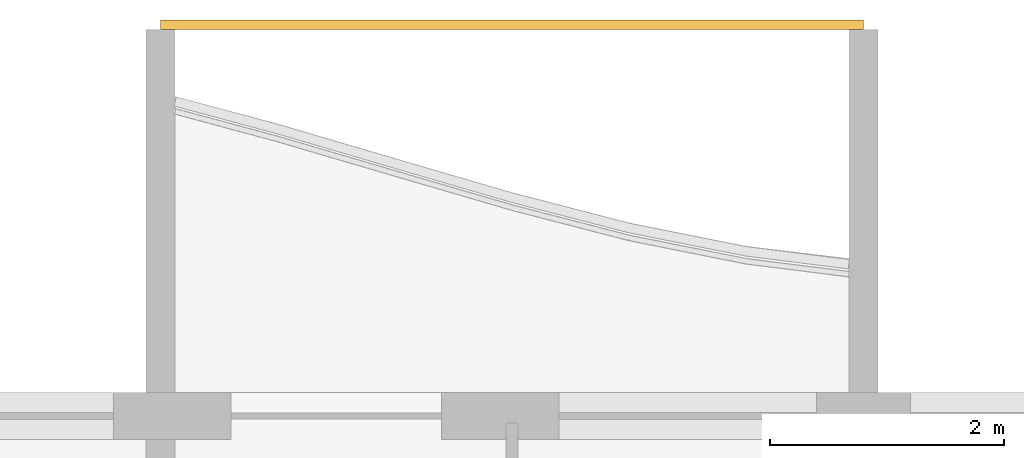
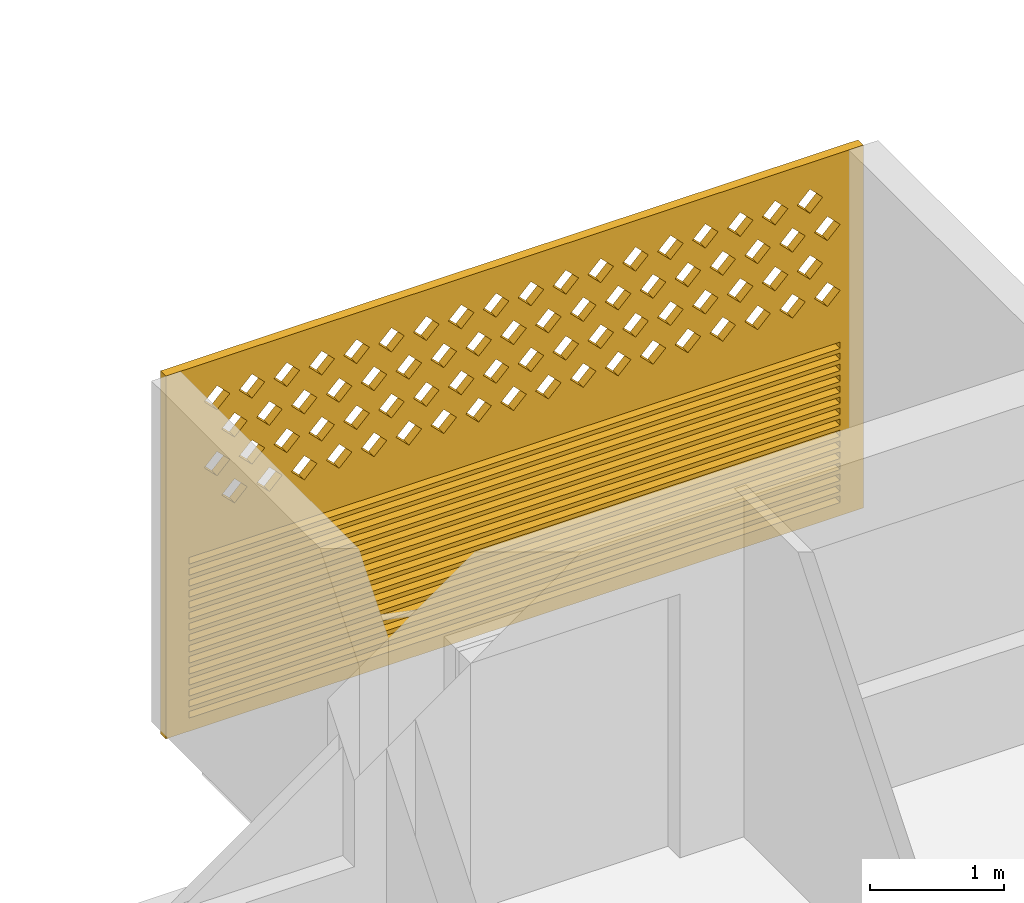
# One storey, part 18 of 26: 1 covering.
"""IFC4 building model written with IfcOpenShell, lengths in metres."""

from ifc_helpers import new_model, si_unit, direction, frame, origin, place, context, subcontext, project, spatial, polyline, outline, extrude, source, transform, mapped, material, material_profile, profile_set, type_object, element, save


model = new_model("IFC4")

# Units and contexts
model_context = context("Model", 3, precision=1e-05, world=origin(), true_north=direction((0.0, 1.0)))
body_context = subcontext(model_context, "Body", "Model", "MODEL_VIEW")
ifc_project = project(units=[si_unit("LENGTHUNIT", "METRE"), si_unit("AREAUNIT", "SQUARE_METRE"), si_unit("VOLUMEUNIT", "CUBIC_METRE"), si_unit("PLANEANGLEUNIT", "RADIAN"), si_unit("MASSUNIT", "GRAM", prefix="KILO")], contexts=[model_context])

# Site, building, storey
site_placement = place(None, origin())
site = spatial("IfcSite", under=ifc_project, at=site_placement, CompositionType="ELEMENT")
building_placement = place(site_placement, origin())
building = spatial("IfcBuilding", under=site, at=building_placement, Name="Poui Terraces", CompositionType="ELEMENT")
storey_placement = place(building_placement, frame((0.0, 0.0, 247.800048828125)))
storey = spatial("IfcBuildingStorey", under=building, at=storey_placement, Name="L69", CompositionType="ELEMENT", Elevation=247.800048828125)

# Covering
ifc_material = material(Name="Terracotta screen", Category="masonry")
ifc_material_profile = material_profile(ifc_material, outline(polyline([(-3.0, -1.64990234375), (3.0, -1.64990234375), (3.0, 1.64990234375), (-3.0, 1.64990234375), (-3.0, -1.64990234375)]), holes=[polyline([(-2.800048828125, 0.39990234375), (-2.68994140625, 0.2900390625), (-2.580078125, 0.39990234375), (-2.68994140625, 0.510009765625), (-2.800048828125, 0.39990234375)]), polyline([(-2.5, 0.39990234375), (-2.389892578125, 0.2900390625), (-2.280029296875, 0.39990234375), (-2.389892578125, 0.510009765625), (-2.5, 0.39990234375)]), polyline([(-2.199951171875, 0.39990234375), (-2.090087890625, 0.2900390625), (-1.97998046875, 0.39990234375), (-2.090087890625, 0.510009765625), (-2.199951171875, 0.39990234375)]), polyline([(-1.89990234375, 0.39990234375), (-1.7900390625, 0.2900390625), (-1.679931640625, 0.39990234375), (-1.7900390625, 0.510009765625), (-1.89990234375, 0.39990234375)]), polyline([(-1.60009765625, 0.39990234375), (-1.489990234375, 0.2900390625), (-1.3798828125, 0.39990234375), (-1.489990234375, 0.510009765625), (-1.60009765625, 0.39990234375)]), polyline([(-1.300048828125, 0.39990234375), (-1.18994140625, 0.2900390625), (-1.080078125, 0.39990234375), (-1.18994140625, 0.510009765625), (-1.300048828125, 0.39990234375)]), polyline([(-1.0, 0.39990234375), (-0.889892578125, 0.2900390625), (-0.780029296875, 0.39990234375), (-0.889892578125, 0.510009765625), (-1.0, 0.39990234375)]), polyline([(-0.699951171875, 0.39990234375), (-0.590087890625, 0.2900390625), (-0.47998046875, 0.39990234375), (-0.590087890625, 0.510009765625), (-0.699951171875, 0.39990234375)]), polyline([(-0.39990234375, 0.39990234375), (-0.2900390625, 0.2900390625), (-0.179931640625, 0.39990234375), (-0.2900390625, 0.510009765625), (-0.39990234375, 0.39990234375)]), polyline([(-0.10009765625, 0.39990234375), (0.010009765625, 0.2900390625), (0.1201171875, 0.39990234375), (0.010009765625, 0.510009765625), (-0.10009765625, 0.39990234375)]), polyline([(0.199951171875, 0.39990234375), (0.31005859375, 0.2900390625), (0.419921875, 0.39990234375), (0.31005859375, 0.510009765625), (0.199951171875, 0.39990234375)]), polyline([(0.5, 0.39990234375), (0.610107421875, 0.2900390625), (0.719970703125, 0.39990234375), (0.610107421875, 0.510009765625), (0.5, 0.39990234375)]), polyline([(0.800048828125, 0.39990234375), (0.909912109375, 0.2900390625), (1.02001953125, 0.39990234375), (0.909912109375, 0.510009765625), (0.800048828125, 0.39990234375)]), polyline([(1.10009765625, 0.39990234375), (1.2099609375, 0.2900390625), (1.320068359375, 0.39990234375), (1.2099609375, 0.510009765625), (1.10009765625, 0.39990234375)]), polyline([(1.39990234375, 0.39990234375), (1.510009765625, 0.2900390625), (1.6201171875, 0.39990234375), (1.510009765625, 0.510009765625), (1.39990234375, 0.39990234375)]), polyline([(1.699951171875, 0.39990234375), (1.81005859375, 0.2900390625), (1.919921875, 0.39990234375), (1.81005859375, 0.510009765625), (1.699951171875, 0.39990234375)]), polyline([(2.0, 0.39990234375), (2.110107421875, 0.2900390625), (2.219970703125, 0.39990234375), (2.110107421875, 0.510009765625), (2.0, 0.39990234375)]), polyline([(2.300048828125, 0.39990234375), (2.409912109375, 0.2900390625), (2.52001953125, 0.39990234375), (2.409912109375, 0.510009765625), (2.300048828125, 0.39990234375)]), polyline([(-2.64990234375, 0.699951171875), (-2.5400390625, 0.590087890625), (-2.429931640625, 0.699951171875), (-2.5400390625, 0.81005859375), (-2.64990234375, 0.699951171875)]), polyline([(-2.35009765625, 0.699951171875), (-2.239990234375, 0.590087890625), (-2.1298828125, 0.699951171875), (-2.239990234375, 0.81005859375), (-2.35009765625, 0.699951171875)]), polyline([(-2.050048828125, 0.699951171875), (-1.93994140625, 0.590087890625), (-1.830078125, 0.699951171875), (-1.93994140625, 0.81005859375), (-2.050048828125, 0.699951171875)]), polyline([(-1.75, 0.699951171875), (-1.639892578125, 0.590087890625), (-1.530029296875, 0.699951171875), (-1.639892578125, 0.81005859375), (-1.75, 0.699951171875)]), polyline([(-1.449951171875, 0.699951171875), (-1.340087890625, 0.590087890625), (-1.22998046875, 0.699951171875), (-1.340087890625, 0.81005859375), (-1.449951171875, 0.699951171875)]), polyline([(-1.14990234375, 0.699951171875), (-1.0400390625, 0.590087890625), (-0.929931640625, 0.699951171875), (-1.0400390625, 0.81005859375), (-1.14990234375, 0.699951171875)]), polyline([(-0.85009765625, 0.699951171875), (-0.739990234375, 0.590087890625), (-0.6298828125, 0.699951171875), (-0.739990234375, 0.81005859375), (-0.85009765625, 0.699951171875)]), polyline([(-0.550048828125, 0.699951171875), (-0.43994140625, 0.590087890625), (-0.330078125, 0.699951171875), (-0.43994140625, 0.81005859375), (-0.550048828125, 0.699951171875)]), polyline([(-0.25, 0.699951171875), (-0.139892578125, 0.590087890625), (-0.030029296875, 0.699951171875), (-0.139892578125, 0.81005859375), (-0.25, 0.699951171875)]), polyline([(0.050048828125, 0.699951171875), (0.159912109375, 0.590087890625), (0.27001953125, 0.699951171875), (0.159912109375, 0.81005859375), (0.050048828125, 0.699951171875)]), polyline([(0.35009765625, 0.699951171875), (0.4599609375, 0.590087890625), (0.570068359375, 0.699951171875), (0.4599609375, 0.81005859375), (0.35009765625, 0.699951171875)]), polyline([(0.64990234375, 0.699951171875), (0.760009765625, 0.590087890625), (0.8701171875, 0.699951171875), (0.760009765625, 0.81005859375), (0.64990234375, 0.699951171875)]), polyline([(0.949951171875, 0.699951171875), (1.06005859375, 0.590087890625), (1.169921875, 0.699951171875), (1.06005859375, 0.81005859375), (0.949951171875, 0.699951171875)]), polyline([(1.25, 0.699951171875), (1.360107421875, 0.590087890625), (1.469970703125, 0.699951171875), (1.360107421875, 0.81005859375), (1.25, 0.699951171875)]), polyline([(1.550048828125, 0.699951171875), (1.659912109375, 0.590087890625), (1.77001953125, 0.699951171875), (1.659912109375, 0.81005859375), (1.550048828125, 0.699951171875)]), polyline([(1.85009765625, 0.699951171875), (1.9599609375, 0.590087890625), (2.070068359375, 0.699951171875), (1.9599609375, 0.81005859375), (1.85009765625, 0.699951171875)]), polyline([(2.14990234375, 0.699951171875), (2.260009765625, 0.590087890625), (2.3701171875, 0.699951171875), (2.260009765625, 0.81005859375), (2.14990234375, 0.699951171875)]), polyline([(2.449951171875, 0.699951171875), (2.56005859375, 0.590087890625), (2.669921875, 0.699951171875), (2.56005859375, 0.81005859375), (2.449951171875, 0.699951171875)]), polyline([(-2.800048828125, 1.0), (-2.68994140625, 0.889892578125), (-2.580078125, 1.0), (-2.68994140625, 1.110107421875), (-2.800048828125, 1.0)]), polyline([(-2.5, 1.0), (-2.389892578125, 0.889892578125), (-2.280029296875, 1.0), (-2.389892578125, 1.110107421875), (-2.5, 1.0)]), polyline([(-2.199951171875, 1.0), (-2.090087890625, 0.889892578125), (-1.97998046875, 1.0), (-2.090087890625, 1.110107421875), (-2.199951171875, 1.0)]), polyline([(-1.89990234375, 1.0), (-1.7900390625, 0.889892578125), (-1.679931640625, 1.0), (-1.7900390625, 1.110107421875), (-1.89990234375, 1.0)]), polyline([(-1.60009765625, 1.0), (-1.489990234375, 0.889892578125), (-1.3798828125, 1.0), (-1.489990234375, 1.110107421875), (-1.60009765625, 1.0)]), polyline([(-1.300048828125, 1.0), (-1.18994140625, 0.889892578125), (-1.080078125, 1.0), (-1.18994140625, 1.110107421875), (-1.300048828125, 1.0)]), polyline([(-1.0, 1.0), (-0.889892578125, 0.889892578125), (-0.780029296875, 1.0), (-0.889892578125, 1.110107421875), (-1.0, 1.0)]), polyline([(-0.699951171875, 1.0), (-0.590087890625, 0.889892578125), (-0.47998046875, 1.0), (-0.590087890625, 1.110107421875), (-0.699951171875, 1.0)]), polyline([(-0.39990234375, 1.0), (-0.2900390625, 0.889892578125), (-0.179931640625, 1.0), (-0.2900390625, 1.110107421875), (-0.39990234375, 1.0)]), polyline([(-0.10009765625, 1.0), (0.010009765625, 0.889892578125), (0.1201171875, 1.0), (0.010009765625, 1.110107421875), (-0.10009765625, 1.0)]), polyline([(0.199951171875, 1.0), (0.31005859375, 0.889892578125), (0.419921875, 1.0), (0.31005859375, 1.110107421875), (0.199951171875, 1.0)]), polyline([(0.5, 1.0), (0.610107421875, 0.889892578125), (0.719970703125, 1.0), (0.610107421875, 1.110107421875), (0.5, 1.0)]), polyline([(0.800048828125, 1.0), (0.909912109375, 0.889892578125), (1.02001953125, 1.0), (0.909912109375, 1.110107421875), (0.800048828125, 1.0)]), polyline([(1.10009765625, 1.0), (1.2099609375, 0.889892578125), (1.320068359375, 1.0), (1.2099609375, 1.110107421875), (1.10009765625, 1.0)]), polyline([(1.39990234375, 1.0), (1.510009765625, 0.889892578125), (1.6201171875, 1.0), (1.510009765625, 1.110107421875), (1.39990234375, 1.0)]), polyline([(1.699951171875, 1.0), (1.81005859375, 0.889892578125), (1.919921875, 1.0), (1.81005859375, 1.110107421875), (1.699951171875, 1.0)]), polyline([(2.0, 1.0), (2.110107421875, 0.889892578125), (2.219970703125, 1.0), (2.110107421875, 1.110107421875), (2.0, 1.0)]), polyline([(2.300048828125, 1.0), (2.409912109375, 0.889892578125), (2.52001953125, 1.0), (2.409912109375, 1.110107421875), (2.300048828125, 1.0)]), polyline([(-2.64990234375, 1.300048828125), (-2.5400390625, 1.18994140625), (-2.429931640625, 1.300048828125), (-2.5400390625, 1.409912109375), (-2.64990234375, 1.300048828125)]), polyline([(-2.35009765625, 1.300048828125), (-2.239990234375, 1.18994140625), (-2.1298828125, 1.300048828125), (-2.239990234375, 1.409912109375), (-2.35009765625, 1.300048828125)]), polyline([(-2.050048828125, 1.300048828125), (-1.93994140625, 1.18994140625), (-1.830078125, 1.300048828125), (-1.93994140625, 1.409912109375), (-2.050048828125, 1.300048828125)]), polyline([(-1.75, 1.300048828125), (-1.639892578125, 1.18994140625), (-1.530029296875, 1.300048828125), (-1.639892578125, 1.409912109375), (-1.75, 1.300048828125)]), polyline([(-1.449951171875, 1.300048828125), (-1.340087890625, 1.18994140625), (-1.22998046875, 1.300048828125), (-1.340087890625, 1.409912109375), (-1.449951171875, 1.300048828125)]), polyline([(-1.14990234375, 1.300048828125), (-1.0400390625, 1.18994140625), (-0.929931640625, 1.300048828125), (-1.0400390625, 1.409912109375), (-1.14990234375, 1.300048828125)]), polyline([(-0.85009765625, 1.300048828125), (-0.739990234375, 1.18994140625), (-0.6298828125, 1.300048828125), (-0.739990234375, 1.409912109375), (-0.85009765625, 1.300048828125)]), polyline([(-0.550048828125, 1.300048828125), (-0.43994140625, 1.18994140625), (-0.330078125, 1.300048828125), (-0.43994140625, 1.409912109375), (-0.550048828125, 1.300048828125)]), polyline([(-0.25, 1.300048828125), (-0.139892578125, 1.18994140625), (-0.030029296875, 1.300048828125), (-0.139892578125, 1.409912109375), (-0.25, 1.300048828125)]), polyline([(0.050048828125, 1.300048828125), (0.159912109375, 1.18994140625), (0.27001953125, 1.300048828125), (0.159912109375, 1.409912109375), (0.050048828125, 1.300048828125)]), polyline([(0.35009765625, 1.300048828125), (0.4599609375, 1.18994140625), (0.570068359375, 1.300048828125), (0.4599609375, 1.409912109375), (0.35009765625, 1.300048828125)]), polyline([(0.64990234375, 1.300048828125), (0.760009765625, 1.18994140625), (0.8701171875, 1.300048828125), (0.760009765625, 1.409912109375), (0.64990234375, 1.300048828125)]), polyline([(0.949951171875, 1.300048828125), (1.06005859375, 1.18994140625), (1.169921875, 1.300048828125), (1.06005859375, 1.409912109375), (0.949951171875, 1.300048828125)]), polyline([(1.25, 1.300048828125), (1.360107421875, 1.18994140625), (1.469970703125, 1.300048828125), (1.360107421875, 1.409912109375), (1.25, 1.300048828125)]), polyline([(1.550048828125, 1.300048828125), (1.659912109375, 1.18994140625), (1.77001953125, 1.300048828125), (1.659912109375, 1.409912109375), (1.550048828125, 1.300048828125)]), polyline([(1.85009765625, 1.300048828125), (1.9599609375, 1.18994140625), (2.070068359375, 1.300048828125), (1.9599609375, 1.409912109375), (1.85009765625, 1.300048828125)]), polyline([(2.14990234375, 1.300048828125), (2.260009765625, 1.18994140625), (2.3701171875, 1.300048828125), (2.260009765625, 1.409912109375), (2.14990234375, 1.300048828125)]), polyline([(2.449951171875, 1.300048828125), (2.56005859375, 1.18994140625), (2.669921875, 1.300048828125), (2.56005859375, 1.409912109375), (2.449951171875, 1.300048828125)]), polyline([(-2.800048828125, -1.530029296875), (2.800048828125, -1.530029296875), (2.800048828125, -1.469970703125), (-2.800048828125, -1.469970703125), (-2.800048828125, -1.530029296875)]), polyline([(-2.800048828125, -1.429931640625), (2.800048828125, -1.429931640625), (2.800048828125, -1.3701171875), (-2.800048828125, -1.3701171875), (-2.800048828125, -1.429931640625)]), polyline([(-2.800048828125, -1.330078125), (2.800048828125, -1.330078125), (2.800048828125, -1.27001953125), (-2.800048828125, -1.27001953125), (-2.800048828125, -1.330078125)]), polyline([(-2.800048828125, -1.22998046875), (2.800048828125, -1.22998046875), (2.800048828125, -1.169921875), (-2.800048828125, -1.169921875), (-2.800048828125, -1.22998046875)]), polyline([(-2.800048828125, -1.1298828125), (2.800048828125, -1.1298828125), (2.800048828125, -1.070068359375), (-2.800048828125, -1.070068359375), (-2.800048828125, -1.1298828125)]), polyline([(-2.800048828125, -1.030029296875), (2.800048828125, -1.030029296875), (2.800048828125, -0.969970703125), (-2.800048828125, -0.969970703125), (-2.800048828125, -1.030029296875)]), polyline([(-2.800048828125, -0.929931640625), (2.800048828125, -0.929931640625), (2.800048828125, -0.8701171875), (-2.800048828125, -0.8701171875), (-2.800048828125, -0.929931640625)]), polyline([(-2.800048828125, -0.830078125), (2.800048828125, -0.830078125), (2.800048828125, -0.77001953125), (-2.800048828125, -0.77001953125), (-2.800048828125, -0.830078125)]), polyline([(-2.800048828125, -0.72998046875), (2.800048828125, -0.72998046875), (2.800048828125, -0.669921875), (-2.800048828125, -0.669921875), (-2.800048828125, -0.72998046875)]), polyline([(-2.800048828125, -0.6298828125), (2.800048828125, -0.6298828125), (2.800048828125, -0.570068359375), (-2.800048828125, -0.570068359375), (-2.800048828125, -0.6298828125)]), polyline([(-2.800048828125, -0.530029296875), (2.800048828125, -0.530029296875), (2.800048828125, -0.469970703125), (-2.800048828125, -0.469970703125), (-2.800048828125, -0.530029296875)]), polyline([(-2.800048828125, -0.429931640625), (2.800048828125, -0.429931640625), (2.800048828125, -0.3701171875), (-2.800048828125, -0.3701171875), (-2.800048828125, -0.429931640625)]), polyline([(-2.800048828125, -0.330078125), (2.800048828125, -0.330078125), (2.800048828125, -0.27001953125), (-2.800048828125, -0.27001953125), (-2.800048828125, -0.330078125)]), polyline([(-2.800048828125, -0.22998046875), (2.800048828125, -0.22998046875), (2.800048828125, -0.169921875), (-2.800048828125, -0.169921875), (-2.800048828125, -0.22998046875)]), polyline([(-2.800048828125, -0.1298828125), (2.800048828125, -0.1298828125), (2.800048828125, -0.070068359375), (-2.800048828125, -0.070068359375), (-2.800048828125, -0.1298828125)])]), Name="TERRACOTTA SCREEN AND JALOUSIE LOUVRE 6000X3300")
ifc_profile_set = profile_set([ifc_material_profile], Name="Terracotta screen")
covering_type = type_object("IfcCoveringType", Name="TERRACOTTA SCREEN AND JALOUSIE LOUVRE 6000X3300", PredefinedType="CLADDING", material=ifc_profile_set)
shared_shape = source(origin(), body_context, "Body", "SweptSolid", [
    extrude(outline(polyline([(-3.0, -1.64990234375), (3.0, -1.64990234375), (3.0, 1.64990234375), (-3.0, 1.64990234375), (-3.0, -1.64990234375)]), holes=[polyline([(-2.800048828125, 0.39990234375), (-2.68994140625, 0.2900390625), (-2.580078125, 0.39990234375), (-2.68994140625, 0.510009765625), (-2.800048828125, 0.39990234375)]), polyline([(-2.5, 0.39990234375), (-2.389892578125, 0.2900390625), (-2.280029296875, 0.39990234375), (-2.389892578125, 0.510009765625), (-2.5, 0.39990234375)]), polyline([(-2.199951171875, 0.39990234375), (-2.090087890625, 0.2900390625), (-1.97998046875, 0.39990234375), (-2.090087890625, 0.510009765625), (-2.199951171875, 0.39990234375)]), polyline([(-1.89990234375, 0.39990234375), (-1.7900390625, 0.2900390625), (-1.679931640625, 0.39990234375), (-1.7900390625, 0.510009765625), (-1.89990234375, 0.39990234375)]), polyline([(-1.60009765625, 0.39990234375), (-1.489990234375, 0.2900390625), (-1.3798828125, 0.39990234375), (-1.489990234375, 0.510009765625), (-1.60009765625, 0.39990234375)]), polyline([(-1.300048828125, 0.39990234375), (-1.18994140625, 0.2900390625), (-1.080078125, 0.39990234375), (-1.18994140625, 0.510009765625), (-1.300048828125, 0.39990234375)]), polyline([(-1.0, 0.39990234375), (-0.889892578125, 0.2900390625), (-0.780029296875, 0.39990234375), (-0.889892578125, 0.510009765625), (-1.0, 0.39990234375)]), polyline([(-0.699951171875, 0.39990234375), (-0.590087890625, 0.2900390625), (-0.47998046875, 0.39990234375), (-0.590087890625, 0.510009765625), (-0.699951171875, 0.39990234375)]), polyline([(-0.39990234375, 0.39990234375), (-0.2900390625, 0.2900390625), (-0.179931640625, 0.39990234375), (-0.2900390625, 0.510009765625), (-0.39990234375, 0.39990234375)]), polyline([(-0.10009765625, 0.39990234375), (0.010009765625, 0.2900390625), (0.1201171875, 0.39990234375), (0.010009765625, 0.510009765625), (-0.10009765625, 0.39990234375)]), polyline([(0.199951171875, 0.39990234375), (0.31005859375, 0.2900390625), (0.419921875, 0.39990234375), (0.31005859375, 0.510009765625), (0.199951171875, 0.39990234375)]), polyline([(0.5, 0.39990234375), (0.610107421875, 0.2900390625), (0.719970703125, 0.39990234375), (0.610107421875, 0.510009765625), (0.5, 0.39990234375)]), polyline([(0.800048828125, 0.39990234375), (0.909912109375, 0.2900390625), (1.02001953125, 0.39990234375), (0.909912109375, 0.510009765625), (0.800048828125, 0.39990234375)]), polyline([(1.10009765625, 0.39990234375), (1.2099609375, 0.2900390625), (1.320068359375, 0.39990234375), (1.2099609375, 0.510009765625), (1.10009765625, 0.39990234375)]), polyline([(1.39990234375, 0.39990234375), (1.510009765625, 0.2900390625), (1.6201171875, 0.39990234375), (1.510009765625, 0.510009765625), (1.39990234375, 0.39990234375)]), polyline([(1.699951171875, 0.39990234375), (1.81005859375, 0.2900390625), (1.919921875, 0.39990234375), (1.81005859375, 0.510009765625), (1.699951171875, 0.39990234375)]), polyline([(2.0, 0.39990234375), (2.110107421875, 0.2900390625), (2.219970703125, 0.39990234375), (2.110107421875, 0.510009765625), (2.0, 0.39990234375)]), polyline([(2.300048828125, 0.39990234375), (2.409912109375, 0.2900390625), (2.52001953125, 0.39990234375), (2.409912109375, 0.510009765625), (2.300048828125, 0.39990234375)]), polyline([(-2.64990234375, 0.699951171875), (-2.5400390625, 0.590087890625), (-2.429931640625, 0.699951171875), (-2.5400390625, 0.81005859375), (-2.64990234375, 0.699951171875)]), polyline([(-2.35009765625, 0.699951171875), (-2.239990234375, 0.590087890625), (-2.1298828125, 0.699951171875), (-2.239990234375, 0.81005859375), (-2.35009765625, 0.699951171875)]), polyline([(-2.050048828125, 0.699951171875), (-1.93994140625, 0.590087890625), (-1.830078125, 0.699951171875), (-1.93994140625, 0.81005859375), (-2.050048828125, 0.699951171875)]), polyline([(-1.75, 0.699951171875), (-1.639892578125, 0.590087890625), (-1.530029296875, 0.699951171875), (-1.639892578125, 0.81005859375), (-1.75, 0.699951171875)]), polyline([(-1.449951171875, 0.699951171875), (-1.340087890625, 0.590087890625), (-1.22998046875, 0.699951171875), (-1.340087890625, 0.81005859375), (-1.449951171875, 0.699951171875)]), polyline([(-1.14990234375, 0.699951171875), (-1.0400390625, 0.590087890625), (-0.929931640625, 0.699951171875), (-1.0400390625, 0.81005859375), (-1.14990234375, 0.699951171875)]), polyline([(-0.85009765625, 0.699951171875), (-0.739990234375, 0.590087890625), (-0.6298828125, 0.699951171875), (-0.739990234375, 0.81005859375), (-0.85009765625, 0.699951171875)]), polyline([(-0.550048828125, 0.699951171875), (-0.43994140625, 0.590087890625), (-0.330078125, 0.699951171875), (-0.43994140625, 0.81005859375), (-0.550048828125, 0.699951171875)]), polyline([(-0.25, 0.699951171875), (-0.139892578125, 0.590087890625), (-0.030029296875, 0.699951171875), (-0.139892578125, 0.81005859375), (-0.25, 0.699951171875)]), polyline([(0.050048828125, 0.699951171875), (0.159912109375, 0.590087890625), (0.27001953125, 0.699951171875), (0.159912109375, 0.81005859375), (0.050048828125, 0.699951171875)]), polyline([(0.35009765625, 0.699951171875), (0.4599609375, 0.590087890625), (0.570068359375, 0.699951171875), (0.4599609375, 0.81005859375), (0.35009765625, 0.699951171875)]), polyline([(0.64990234375, 0.699951171875), (0.760009765625, 0.590087890625), (0.8701171875, 0.699951171875), (0.760009765625, 0.81005859375), (0.64990234375, 0.699951171875)]), polyline([(0.949951171875, 0.699951171875), (1.06005859375, 0.590087890625), (1.169921875, 0.699951171875), (1.06005859375, 0.81005859375), (0.949951171875, 0.699951171875)]), polyline([(1.25, 0.699951171875), (1.360107421875, 0.590087890625), (1.469970703125, 0.699951171875), (1.360107421875, 0.81005859375), (1.25, 0.699951171875)]), polyline([(1.550048828125, 0.699951171875), (1.659912109375, 0.590087890625), (1.77001953125, 0.699951171875), (1.659912109375, 0.81005859375), (1.550048828125, 0.699951171875)]), polyline([(1.85009765625, 0.699951171875), (1.9599609375, 0.590087890625), (2.070068359375, 0.699951171875), (1.9599609375, 0.81005859375), (1.85009765625, 0.699951171875)]), polyline([(2.14990234375, 0.699951171875), (2.260009765625, 0.590087890625), (2.3701171875, 0.699951171875), (2.260009765625, 0.81005859375), (2.14990234375, 0.699951171875)]), polyline([(2.449951171875, 0.699951171875), (2.56005859375, 0.590087890625), (2.669921875, 0.699951171875), (2.56005859375, 0.81005859375), (2.449951171875, 0.699951171875)]), polyline([(-2.800048828125, 1.0), (-2.68994140625, 0.889892578125), (-2.580078125, 1.0), (-2.68994140625, 1.110107421875), (-2.800048828125, 1.0)]), polyline([(-2.5, 1.0), (-2.389892578125, 0.889892578125), (-2.280029296875, 1.0), (-2.389892578125, 1.110107421875), (-2.5, 1.0)]), polyline([(-2.199951171875, 1.0), (-2.090087890625, 0.889892578125), (-1.97998046875, 1.0), (-2.090087890625, 1.110107421875), (-2.199951171875, 1.0)]), polyline([(-1.89990234375, 1.0), (-1.7900390625, 0.889892578125), (-1.679931640625, 1.0), (-1.7900390625, 1.110107421875), (-1.89990234375, 1.0)]), polyline([(-1.60009765625, 1.0), (-1.489990234375, 0.889892578125), (-1.3798828125, 1.0), (-1.489990234375, 1.110107421875), (-1.60009765625, 1.0)]), polyline([(-1.300048828125, 1.0), (-1.18994140625, 0.889892578125), (-1.080078125, 1.0), (-1.18994140625, 1.110107421875), (-1.300048828125, 1.0)]), polyline([(-1.0, 1.0), (-0.889892578125, 0.889892578125), (-0.780029296875, 1.0), (-0.889892578125, 1.110107421875), (-1.0, 1.0)]), polyline([(-0.699951171875, 1.0), (-0.590087890625, 0.889892578125), (-0.47998046875, 1.0), (-0.590087890625, 1.110107421875), (-0.699951171875, 1.0)]), polyline([(-0.39990234375, 1.0), (-0.2900390625, 0.889892578125), (-0.179931640625, 1.0), (-0.2900390625, 1.110107421875), (-0.39990234375, 1.0)]), polyline([(-0.10009765625, 1.0), (0.010009765625, 0.889892578125), (0.1201171875, 1.0), (0.010009765625, 1.110107421875), (-0.10009765625, 1.0)]), polyline([(0.199951171875, 1.0), (0.31005859375, 0.889892578125), (0.419921875, 1.0), (0.31005859375, 1.110107421875), (0.199951171875, 1.0)]), polyline([(0.5, 1.0), (0.610107421875, 0.889892578125), (0.719970703125, 1.0), (0.610107421875, 1.110107421875), (0.5, 1.0)]), polyline([(0.800048828125, 1.0), (0.909912109375, 0.889892578125), (1.02001953125, 1.0), (0.909912109375, 1.110107421875), (0.800048828125, 1.0)]), polyline([(1.10009765625, 1.0), (1.2099609375, 0.889892578125), (1.320068359375, 1.0), (1.2099609375, 1.110107421875), (1.10009765625, 1.0)]), polyline([(1.39990234375, 1.0), (1.510009765625, 0.889892578125), (1.6201171875, 1.0), (1.510009765625, 1.110107421875), (1.39990234375, 1.0)]), polyline([(1.699951171875, 1.0), (1.81005859375, 0.889892578125), (1.919921875, 1.0), (1.81005859375, 1.110107421875), (1.699951171875, 1.0)]), polyline([(2.0, 1.0), (2.110107421875, 0.889892578125), (2.219970703125, 1.0), (2.110107421875, 1.110107421875), (2.0, 1.0)]), polyline([(2.300048828125, 1.0), (2.409912109375, 0.889892578125), (2.52001953125, 1.0), (2.409912109375, 1.110107421875), (2.300048828125, 1.0)]), polyline([(-2.64990234375, 1.300048828125), (-2.5400390625, 1.18994140625), (-2.429931640625, 1.300048828125), (-2.5400390625, 1.409912109375), (-2.64990234375, 1.300048828125)]), polyline([(-2.35009765625, 1.300048828125), (-2.239990234375, 1.18994140625), (-2.1298828125, 1.300048828125), (-2.239990234375, 1.409912109375), (-2.35009765625, 1.300048828125)]), polyline([(-2.050048828125, 1.300048828125), (-1.93994140625, 1.18994140625), (-1.830078125, 1.300048828125), (-1.93994140625, 1.409912109375), (-2.050048828125, 1.300048828125)]), polyline([(-1.75, 1.300048828125), (-1.639892578125, 1.18994140625), (-1.530029296875, 1.300048828125), (-1.639892578125, 1.409912109375), (-1.75, 1.300048828125)]), polyline([(-1.449951171875, 1.300048828125), (-1.340087890625, 1.18994140625), (-1.22998046875, 1.300048828125), (-1.340087890625, 1.409912109375), (-1.449951171875, 1.300048828125)]), polyline([(-1.14990234375, 1.300048828125), (-1.0400390625, 1.18994140625), (-0.929931640625, 1.300048828125), (-1.0400390625, 1.409912109375), (-1.14990234375, 1.300048828125)]), polyline([(-0.85009765625, 1.300048828125), (-0.739990234375, 1.18994140625), (-0.6298828125, 1.300048828125), (-0.739990234375, 1.409912109375), (-0.85009765625, 1.300048828125)]), polyline([(-0.550048828125, 1.300048828125), (-0.43994140625, 1.18994140625), (-0.330078125, 1.300048828125), (-0.43994140625, 1.409912109375), (-0.550048828125, 1.300048828125)]), polyline([(-0.25, 1.300048828125), (-0.139892578125, 1.18994140625), (-0.030029296875, 1.300048828125), (-0.139892578125, 1.409912109375), (-0.25, 1.300048828125)]), polyline([(0.050048828125, 1.300048828125), (0.159912109375, 1.18994140625), (0.27001953125, 1.300048828125), (0.159912109375, 1.409912109375), (0.050048828125, 1.300048828125)]), polyline([(0.35009765625, 1.300048828125), (0.4599609375, 1.18994140625), (0.570068359375, 1.300048828125), (0.4599609375, 1.409912109375), (0.35009765625, 1.300048828125)]), polyline([(0.64990234375, 1.300048828125), (0.760009765625, 1.18994140625), (0.8701171875, 1.300048828125), (0.760009765625, 1.409912109375), (0.64990234375, 1.300048828125)]), polyline([(0.949951171875, 1.300048828125), (1.06005859375, 1.18994140625), (1.169921875, 1.300048828125), (1.06005859375, 1.409912109375), (0.949951171875, 1.300048828125)]), polyline([(1.25, 1.300048828125), (1.360107421875, 1.18994140625), (1.469970703125, 1.300048828125), (1.360107421875, 1.409912109375), (1.25, 1.300048828125)]), polyline([(1.550048828125, 1.300048828125), (1.659912109375, 1.18994140625), (1.77001953125, 1.300048828125), (1.659912109375, 1.409912109375), (1.550048828125, 1.300048828125)]), polyline([(1.85009765625, 1.300048828125), (1.9599609375, 1.18994140625), (2.070068359375, 1.300048828125), (1.9599609375, 1.409912109375), (1.85009765625, 1.300048828125)]), polyline([(2.14990234375, 1.300048828125), (2.260009765625, 1.18994140625), (2.3701171875, 1.300048828125), (2.260009765625, 1.409912109375), (2.14990234375, 1.300048828125)]), polyline([(2.449951171875, 1.300048828125), (2.56005859375, 1.18994140625), (2.669921875, 1.300048828125), (2.56005859375, 1.409912109375), (2.449951171875, 1.300048828125)]), polyline([(-2.800048828125, -1.530029296875), (2.800048828125, -1.530029296875), (2.800048828125, -1.469970703125), (-2.800048828125, -1.469970703125), (-2.800048828125, -1.530029296875)]), polyline([(-2.800048828125, -1.429931640625), (2.800048828125, -1.429931640625), (2.800048828125, -1.3701171875), (-2.800048828125, -1.3701171875), (-2.800048828125, -1.429931640625)]), polyline([(-2.800048828125, -1.330078125), (2.800048828125, -1.330078125), (2.800048828125, -1.27001953125), (-2.800048828125, -1.27001953125), (-2.800048828125, -1.330078125)]), polyline([(-2.800048828125, -1.22998046875), (2.800048828125, -1.22998046875), (2.800048828125, -1.169921875), (-2.800048828125, -1.169921875), (-2.800048828125, -1.22998046875)]), polyline([(-2.800048828125, -1.1298828125), (2.800048828125, -1.1298828125), (2.800048828125, -1.070068359375), (-2.800048828125, -1.070068359375), (-2.800048828125, -1.1298828125)]), polyline([(-2.800048828125, -1.030029296875), (2.800048828125, -1.030029296875), (2.800048828125, -0.969970703125), (-2.800048828125, -0.969970703125), (-2.800048828125, -1.030029296875)]), polyline([(-2.800048828125, -0.929931640625), (2.800048828125, -0.929931640625), (2.800048828125, -0.8701171875), (-2.800048828125, -0.8701171875), (-2.800048828125, -0.929931640625)]), polyline([(-2.800048828125, -0.830078125), (2.800048828125, -0.830078125), (2.800048828125, -0.77001953125), (-2.800048828125, -0.77001953125), (-2.800048828125, -0.830078125)]), polyline([(-2.800048828125, -0.72998046875), (2.800048828125, -0.72998046875), (2.800048828125, -0.669921875), (-2.800048828125, -0.669921875), (-2.800048828125, -0.72998046875)]), polyline([(-2.800048828125, -0.6298828125), (2.800048828125, -0.6298828125), (2.800048828125, -0.570068359375), (-2.800048828125, -0.570068359375), (-2.800048828125, -0.6298828125)]), polyline([(-2.800048828125, -0.530029296875), (2.800048828125, -0.530029296875), (2.800048828125, -0.469970703125), (-2.800048828125, -0.469970703125), (-2.800048828125, -0.530029296875)]), polyline([(-2.800048828125, -0.429931640625), (2.800048828125, -0.429931640625), (2.800048828125, -0.3701171875), (-2.800048828125, -0.3701171875), (-2.800048828125, -0.429931640625)]), polyline([(-2.800048828125, -0.330078125), (2.800048828125, -0.330078125), (2.800048828125, -0.27001953125), (-2.800048828125, -0.27001953125), (-2.800048828125, -0.330078125)]), polyline([(-2.800048828125, -0.22998046875), (2.800048828125, -0.22998046875), (2.800048828125, -0.169921875), (-2.800048828125, -0.169921875), (-2.800048828125, -0.22998046875)]), polyline([(-2.800048828125, -0.1298828125), (2.800048828125, -0.1298828125), (2.800048828125, -0.070068359375), (-2.800048828125, -0.070068359375), (-2.800048828125, -0.1298828125)])]), origin(), (0.0, 0.0, 1.0), 0.080078125),
])
covering_placement = place(storey_placement, frame((39.0, 44.5, 1.449951171875), z_axis=(0.0, 1.0, 0.0), x_axis=(-1.0, 0.0, 0.0)))
element("IfcCovering", 1, at=covering_placement, inside=storey, type_object=covering_type, Name="SOLAR SCREEN AND JALOUSIE LOUVRE", PredefinedType="CLADDING", context=body_context, shape_type="MappedRepresentation", body=[
    mapped(shared_shape, transform((0.0, 0.0, 0.0))),
])

save(model, "model.ifc")
